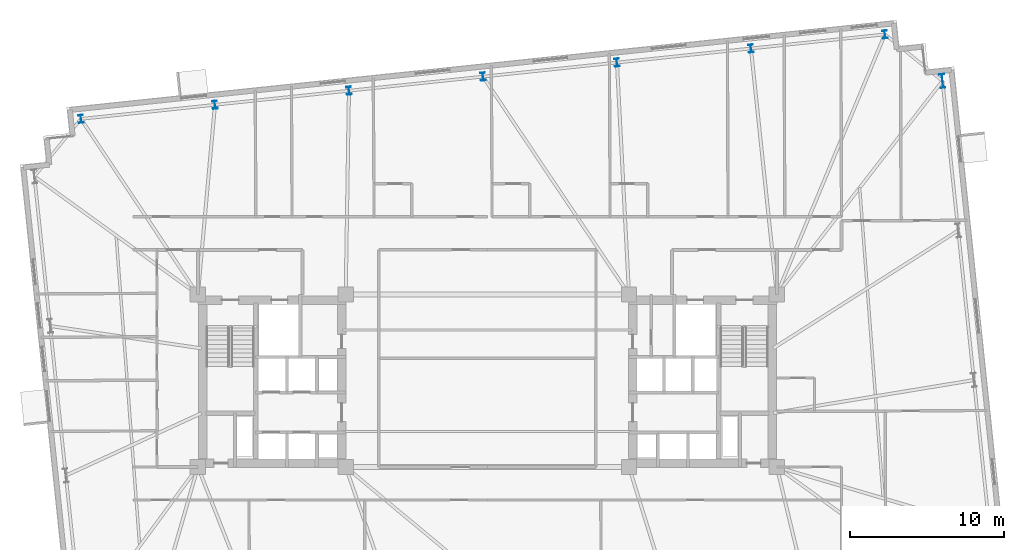
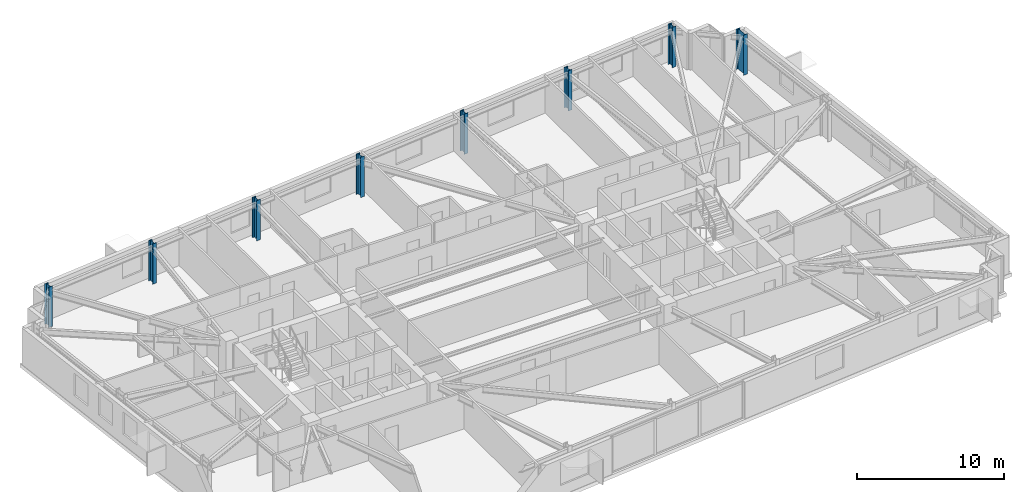
# One storey, part 3 of 22: 8 columns.
"""IFC4 building model written with IfcOpenShell, lengths in metres."""

from ifc_helpers import new_model, si_unit, direction, frame, origin, origin_2d, place, context, subcontext, project, spatial, i_section, extrude, material, material_profile, profile_set, type_object, element, save


model = new_model("IFC4")

# Units and contexts
model_context = context("Model", 3, precision=1e-05, world=origin(), true_north=direction((0.0, 1.0)))
body_context = subcontext(model_context, "Body", "Model", "MODEL_VIEW")
ifc_project = project(units=[si_unit("LENGTHUNIT", "METRE"), si_unit("AREAUNIT", "SQUARE_METRE"), si_unit("VOLUMEUNIT", "CUBIC_METRE"), si_unit("PLANEANGLEUNIT", "RADIAN"), si_unit("MASSUNIT", "GRAM", prefix="KILO")], contexts=[model_context])

# Site, building, storey
site_placement = place(None, origin())
site = spatial("IfcSite", under=ifc_project, at=site_placement, CompositionType="ELEMENT")
building_placement = place(site_placement, origin())
building = spatial("IfcBuilding", under=site, at=building_placement, Name="Qobustan Lattice House", CompositionType="ELEMENT")
storey_placement = place(building_placement, frame((0.0, 0.0, 99.10009765625)))
storey = spatial("IfcBuildingStorey", under=building, at=storey_placement, Name="L27", CompositionType="ELEMENT", Elevation=99.10009765625)

# Columns
ifc_material_1 = material(Name="Steel S355", Category="steel")
ifc_material_profile_1 = material_profile(ifc_material_1, i_section(OverallWidth=0.300048828125, OverallDepth=0.89990234375, WebThickness=0.0185546875, FlangeThickness=0.034912109375, FilletRadius=0.030029296875, at=origin_2d()), Name="HEB900")
ifc_profile_set_1 = profile_set([ifc_material_profile_1], Name="Steel S355")
column_type_1 = type_object("IfcColumnType", Name="COL-ST-HEB900", PredefinedType="COLUMN", material=ifc_profile_set_1)
column_placement = place(storey_placement, frame((29.55615234375, 19.468994140625, 0.0), z_axis=(0.0, 0.0, 1.0), x_axis=(0.994521895368, 0.104528463268, 0.0)))
element("IfcColumn", 1, at=column_placement, inside=storey, type_object=column_type_1, Name="L27 B2 perimeter column E4", PredefinedType="COLUMN", context=body_context, shape_type="SweptSolid", body=[
    extrude(i_section(OverallWidth=0.300048828125, OverallDepth=0.89990234375, WebThickness=0.0185546875, FlangeThickness=0.034912109375, FilletRadius=0.030029296875, at=origin_2d()), origin(), (0.0, 0.0, 1.0), 3.349853515625),
])
ifc_material_2 = material(Name="Steel S355", Category="steel")
ifc_material_profile_2 = material_profile(ifc_material_2, i_section(OverallWidth=0.305908203125, OverallDepth=0.52392578125, WebThickness=0.02099609375, FlangeThickness=0.0400390625, FilletRadius=0.027099609375, at=origin_2d()), Name="HEM500")
ifc_profile_set_2 = profile_set([ifc_material_profile_2], Name="Steel S355")
column_type_2 = type_object("IfcColumnType", Name="COL-ST-HEM500", PredefinedType="COLUMN", material=ifc_profile_set_2)
for number, where, z_axis, x_axis, name in (
    (2, (25.819580078125, 22.4951171875, 0.0), (0.0, 0.0, 1.0), (0.994521895368, 0.104528463268, 0.0), "L27 B2 perimeter column N1"),
    (3, (17.117431640625, 21.580322265625, 0.0), (0.0, 0.0, 1.0), (0.994521895368, 0.104528463268, 0.0), "L27 B2 perimeter column N2"),
    (4, (8.415283203125, 20.665771484375, 0.0), (0.0, 0.0, 1.0), (0.994521895368, 0.104528463268, 0.0), "L27 B2 perimeter column N3"),
    (5, (-0.28662109375, 19.751220703125, 0.0), (0.0, 0.0, 1.0), (0.994521895368, 0.104528463268, 0.0), "L27 B2 perimeter column N4"),
    (6, (-8.98876953125, 18.83642578125, 0.0), (0.0, 0.0, 1.0), (0.994521895368, 0.104528463268, 0.0), "L27 B2 perimeter column N5"),
    (7, (-17.69091796875, 17.921875, 0.0), (0.0, 0.0, 1.0), (0.994521895368, 0.104528463268, 0.0), "L27 B2 perimeter column N6"),
    (8, (-26.392822265625, 17.007080078125, 0.0), (0.0, 0.0, 1.0), (0.994521895368, 0.104528463268, 0.0), "L27 B2 perimeter column N7"),
):
    element("IfcColumn", number, at=place(storey_placement, frame(where, z_axis=z_axis, x_axis=x_axis)), inside=storey, type_object=column_type_2, Name=name, PredefinedType="COLUMN", context=body_context, shape_type="SweptSolid", body=[
        extrude(i_section(OverallWidth=0.305908203125, OverallDepth=0.52392578125, WebThickness=0.02099609375, FlangeThickness=0.0400390625, FilletRadius=0.027099609375, at=origin_2d()), origin(), (0.0, 0.0, 1.0), 3.349853515625),
    ])

save(model, "model.ifc")
